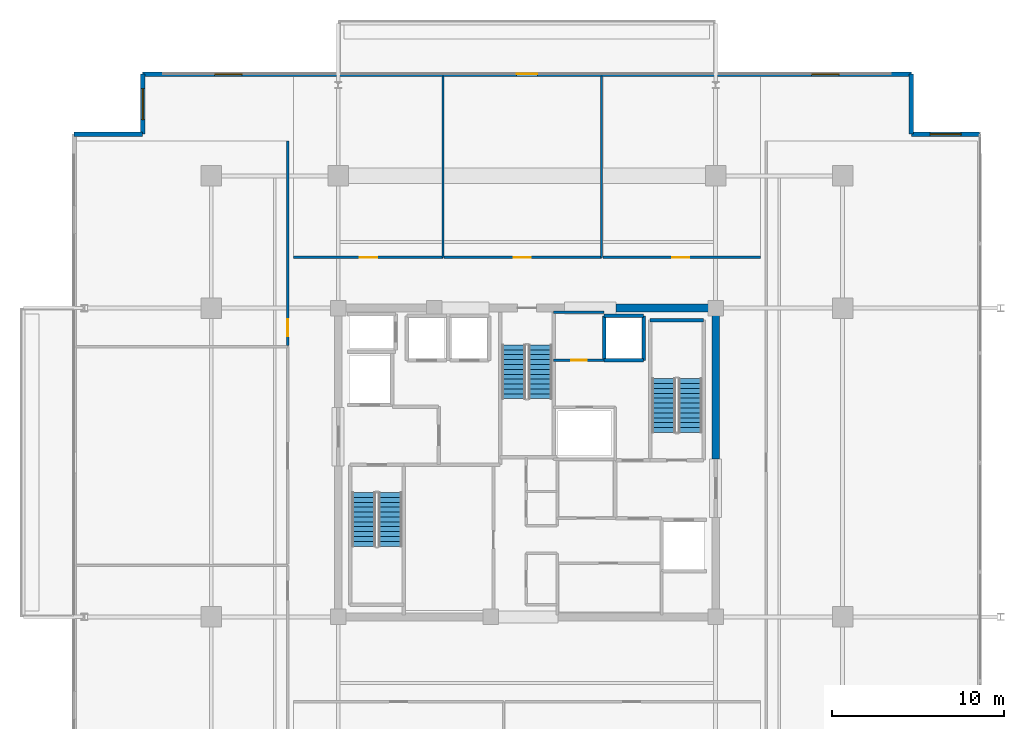
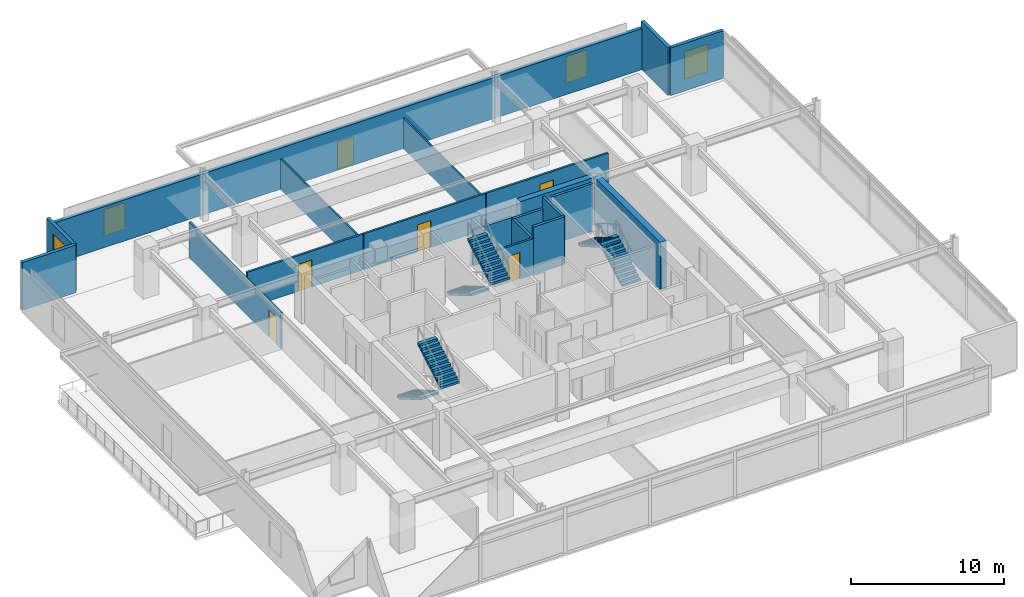
# One storey, part 15 of 18: 20 walls, 6 doors, 6 stair flights, 4 windows, 10 openings, 3 elements without a shape of their own.
"""IFC4 building model written with IfcOpenShell, lengths in metres."""

from ifc_helpers import new_model, si_unit, direction, frame, frame_2d, origin, place, context, subcontext, project, spatial, polyline, rectangle, outline, extrude, material, layer, layer_set, type_object, element, fill, aggregate, save


model = new_model("IFC4")

# Units and contexts
model_context = context("Model", 3, precision=1e-05, world=origin(), true_north=direction((0.0, 1.0)))
body_context = subcontext(model_context, "Body", "Model", "MODEL_VIEW")
ifc_project = project(units=[si_unit("LENGTHUNIT", "METRE"), si_unit("AREAUNIT", "SQUARE_METRE"), si_unit("VOLUMEUNIT", "CUBIC_METRE"), si_unit("PLANEANGLEUNIT", "RADIAN"), si_unit("MASSUNIT", "GRAM", prefix="KILO")], contexts=[model_context])

# Site, building, storey
site_placement = place(None, origin())
site = spatial("IfcSite", under=ifc_project, at=site_placement, CompositionType="ELEMENT")
building_placement = place(site_placement, origin())
building = spatial("IfcBuilding", under=site, at=building_placement, Name="Kovane Verandah Tower", CompositionType="ELEMENT")
storey_placement = place(building_placement, frame((0.0, 0.0, 251.199951171875)))
storey = spatial("IfcBuildingStorey", under=building, at=storey_placement, Name="L58", CompositionType="ELEMENT", Elevation=251.199951171875)

# Wall
ifc_material_1 = material(Name="Fire-Rated Gypsum Stud Partition", Category="gypsum")
ifc_layer_1 = layer(ifc_material_1, 0.14990234375)
ifc_layer_set_1 = layer_set([ifc_layer_1], Name="Fire-Rated Gypsum Stud Partition")
wall_type_1 = type_object("IfcWallType", Name="WL-COR-150", PredefinedType="PARTITIONING", material=ifc_layer_set_1)
wall_1_placement = place(storey_placement, frame((41.56005859375, 36.25, 0.0), z_axis=(0.0, 0.0, 1.0), x_axis=(1.0, 0.0, 0.0)))
element("IfcWall", 1, at=wall_1_placement, inside=storey, type_object=wall_type_1, Name="L58 Sky Telecom Riser North Wall", PredefinedType="PARTITIONING", context=body_context, shape_type="SweptSolid", body=[
    extrude(rectangle(XDim=2.93994140625, YDim=0.14990234375, at=frame_2d((1.469970703125, 0.0))), origin(), (0.0, 0.0, 1.0), 2.85009765625),
])

# Wall, opening, door
wall_2_placement = place(storey_placement, frame((41.56005859375, 33.449951171875, 0.0), z_axis=(0.0, 0.0, 1.0), x_axis=(1.0, 0.0, 0.0)))
wall_2 = element("IfcWall", 2, at=wall_2_placement, inside=storey, type_object=wall_type_1, Name="L58 Sky Telecom Riser Room Partition", PredefinedType="PARTITIONING", context=body_context, shape_type="SweptSolid", body=[
    extrude(rectangle(XDim=2.93994140625, YDim=0.14990234375, at=frame_2d((1.469970703125, 0.0))), origin(), (0.0, 0.0, 1.0), 2.85009765625),
])
opening_1_placement = place(wall_2_placement, frame((1.030029296875, 0.0, 0.0)))
opening_1 = element("IfcOpeningElement", 3, at=opening_1_placement, cuts=wall_2, Name="Opening DR-L58-015", PredefinedType="OPENING", context=body_context, shape_type="SweptSolid", body=[
    extrude(rectangle(XDim=0.8798828125, YDim=2.10009765625, at=frame_2d((0.43994140625, 1.050048828125))), frame((0.0, 0.074951171875, 0.0), z_axis=(0.0, -1.0, 0.0), x_axis=(1.0, 0.0, 0.0)), (0.0, 0.0, 1.0), 0.14990234375),
])
ifc_material_2 = material(Name="Fire-Rated Steel Riser Access Door", Category="steel")
door_type_1 = type_object("IfcDoorType", Name="DR-RISER-880", OperationType="SINGLE_SWING_LEFT", PredefinedType="DOOR", material=ifc_material_2)
door_1_placement = place(opening_1_placement, origin())
door_1 = element("IfcDoor", 4, at=door_1_placement, inside=storey, type_object=door_type_1, Name="L58 Sky Telecom Riser Room Door", OperationType="SINGLE_SWING_RIGHT", OverallHeight=2.10009765625, OverallWidth=0.8798828125, PredefinedType="DOOR", context=body_context, shape_type="SweptSolid", body=[
    extrude(rectangle(XDim=0.8798828125, YDim=2.10009765625, at=frame_2d((0.43994140625, 1.050048828125))), frame((0.0, 0.02490234375, 0.0), z_axis=(0.0, -1.0, 0.0), x_axis=(1.0, 0.0, 0.0)), (0.0, 0.0, 1.0), 0.050048828125),
])
fill(opening_1, door_1)

wall_3_placement = place(storey_placement, frame((26.39990234375, 39.449951171875, 0.0), z_axis=(0.0, 0.0, 1.0), x_axis=(1.0, 0.0, 0.0)))
wall_3 = element("IfcWall", 5, at=wall_3_placement, inside=storey, type_object=wall_type_1, Name="L58 Focus Studio N1 Corridor Partition", PredefinedType="PARTITIONING", context=body_context, shape_type="SweptSolid", body=[
    extrude(rectangle(XDim=8.7041015625, YDim=0.14990234375, at=frame_2d((4.35205078125, 0.0))), origin(), (0.0, 0.0, 1.0), 2.85009765625),
])
opening_2_placement = place(wall_3_placement, frame((3.866943359375, 0.0, 0.0)))
opening_2 = element("IfcOpeningElement", 6, at=opening_2_placement, cuts=wall_3, Name="Opening DR-L58-017", PredefinedType="OPENING", context=body_context, shape_type="SweptSolid", body=[
    extrude(rectangle(XDim=1.0, YDim=2.14990234375, at=frame_2d((0.5, 1.074951171875))), frame((0.0, 0.074951171875, 0.0), z_axis=(0.0, -1.0, 0.0), x_axis=(1.0, 0.0, 0.0)), (0.0, 0.0, 1.0), 0.14990234375),
])
ifc_material_3 = material(Name="FSC Spotted-Gum Timber Fire-Rated Office Door", Category="wood")
door_type_2 = type_object("IfcDoorType", Name="DR-OFF-1000", OperationType="SINGLE_SWING_LEFT", PredefinedType="DOOR", material=ifc_material_3)
door_2_placement = place(opening_2_placement, origin())
door_2 = element("IfcDoor", 7, at=door_2_placement, inside=storey, type_object=door_type_2, Name="L58 Focus Studio N1 Entrance Door", OperationType="SINGLE_SWING_LEFT", OverallHeight=2.14990234375, OverallWidth=1.0, PredefinedType="DOOR", context=body_context, shape_type="SweptSolid", body=[
    extrude(rectangle(XDim=1.0, YDim=2.14990234375, at=frame_2d((0.5, 1.074951171875))), frame((0.0, 0.02490234375, 0.0), z_axis=(0.0, -1.0, 0.0), x_axis=(1.0, 0.0, 0.0)), (0.0, 0.0, 1.0), 0.050048828125),
])
fill(opening_2, door_2)

wall_4_placement = place(storey_placement, frame((35.174072265625, 39.449951171875, 0.0), z_axis=(0.0, 0.0, 1.0), x_axis=(1.0, 0.0, 0.0)))
wall_4 = element("IfcWall", 8, at=wall_4_placement, inside=storey, type_object=wall_type_1, Name="L58 Breakout Pantry N2 Corridor Partition", PredefinedType="PARTITIONING", context=body_context, shape_type="SweptSolid", body=[
    extrude(rectangle(XDim=9.177978515625, YDim=0.14990234375, at=frame_2d((4.5888671875, 0.0))), origin(), (0.0, 0.0, 1.0), 2.85009765625),
])
opening_3_placement = place(wall_4_placement, frame((4.053955078125, 0.0, 0.0)))
opening_3 = element("IfcOpeningElement", 9, at=opening_3_placement, cuts=wall_4, Name="Opening DR-L58-018", PredefinedType="OPENING", context=body_context, shape_type="SweptSolid", body=[
    extrude(rectangle(XDim=1.0, YDim=2.14990234375, at=frame_2d((0.5, 1.074951171875))), frame((0.0, 0.074951171875, 0.0), z_axis=(0.0, -1.0, 0.0), x_axis=(1.0, 0.0, 0.0)), (0.0, 0.0, 1.0), 0.14990234375),
])
door_3_placement = place(opening_3_placement, origin())
door_3 = element("IfcDoor", 10, at=door_3_placement, inside=storey, type_object=door_type_2, Name="L58 Breakout Pantry N2 Entrance Door", OperationType="SINGLE_SWING_RIGHT", OverallHeight=2.14990234375, OverallWidth=1.0, PredefinedType="DOOR", context=body_context, shape_type="SweptSolid", body=[
    extrude(rectangle(XDim=1.0, YDim=2.14990234375, at=frame_2d((0.5, 1.074951171875))), frame((0.0, 0.02490234375, 0.0), z_axis=(0.0, -1.0, 0.0), x_axis=(1.0, 0.0, 0.0)), (0.0, 0.0, 1.0), 0.050048828125),
])
fill(opening_3, door_3)

wall_5_placement = place(storey_placement, frame((44.422119140625, 39.449951171875, 0.0), z_axis=(0.0, 0.0, 1.0), x_axis=(1.0, 0.0, 0.0)))
wall_5 = element("IfcWall", 11, at=wall_5_placement, inside=storey, type_object=wall_type_1, Name="L58 Collaboration Hub N3 Corridor Partition", PredefinedType="PARTITIONING", context=body_context, shape_type="SweptSolid", body=[
    extrude(rectangle(XDim=9.177978515625, YDim=0.14990234375, at=frame_2d((4.5888671875, 0.0))), origin(), (0.0, 0.0, 1.0), 2.85009765625),
])
opening_4_placement = place(wall_5_placement, frame((4.0390625, 0.0, 0.0)))
opening_4 = element("IfcOpeningElement", 12, at=opening_4_placement, cuts=wall_5, Name="Opening DR-L58-019", PredefinedType="OPENING", context=body_context, shape_type="SweptSolid", body=[
    extrude(rectangle(XDim=1.0, YDim=2.14990234375, at=frame_2d((0.5, 1.074951171875))), frame((0.0, 0.074951171875, 0.0), z_axis=(0.0, -1.0, 0.0), x_axis=(1.0, 0.0, 0.0)), (0.0, 0.0, 1.0), 0.14990234375),
])
door_4_placement = place(opening_4_placement, origin())
door_4 = element("IfcDoor", 13, at=door_4_placement, inside=storey, type_object=door_type_2, Name="L58 Collaboration Hub N3 Entrance Door", OperationType="SINGLE_SWING_LEFT", OverallHeight=2.14990234375, OverallWidth=1.0, PredefinedType="DOOR", context=body_context, shape_type="SweptSolid", body=[
    extrude(rectangle(XDim=1.0, YDim=2.14990234375, at=frame_2d((0.5, 1.074951171875))), frame((0.0, 0.02490234375, 0.0), z_axis=(0.0, -1.0, 0.0), x_axis=(1.0, 0.0, 0.0)), (0.0, 0.0, 1.0), 0.050048828125),
])
fill(opening_4, door_4)

wall_6_placement = place(storey_placement, frame((26.050048828125, 34.3154296875, 0.0), z_axis=(0.0, 0.0, 1.0), x_axis=(0.0, 1.0, 0.0)))
wall_6 = element("IfcWall", 14, at=wall_6_placement, inside=storey, type_object=wall_type_1, Name="L58 Meeting Room W3 Corridor Partition", PredefinedType="PARTITIONING", context=body_context, shape_type="SweptSolid", body=[
    extrude(rectangle(XDim=11.922119140625, YDim=0.14990234375, at=frame_2d((5.9609375, 0.0))), origin(), (0.0, 0.0, 1.0), 2.85009765625),
])
opening_5_placement = place(wall_6_placement, frame((0.542236328125, 0.0, 0.0)))
opening_5 = element("IfcOpeningElement", 15, at=opening_5_placement, cuts=wall_6, Name="Opening DR-L58-027", PredefinedType="OPENING", context=body_context, shape_type="SweptSolid", body=[
    extrude(rectangle(XDim=1.0, YDim=2.14990234375, at=frame_2d((0.5, 1.074951171875))), frame((0.0, 0.074951171875, 0.0), z_axis=(0.0, -1.0, 0.0), x_axis=(1.0, 0.0, 0.0)), (0.0, 0.0, 1.0), 0.14990234375),
])
door_5_placement = place(opening_5_placement, origin())
door_5 = element("IfcDoor", 16, at=door_5_placement, inside=storey, type_object=door_type_2, Name="L58 Meeting Room W3 Entrance Door", OperationType="SINGLE_SWING_RIGHT", OverallHeight=2.14990234375, OverallWidth=1.0, PredefinedType="DOOR", context=body_context, shape_type="SweptSolid", body=[
    extrude(rectangle(XDim=1.0, YDim=2.14990234375, at=frame_2d((0.5, 1.074951171875))), frame((0.0, 0.02490234375, 0.0), z_axis=(0.0, -1.0, 0.0), x_axis=(1.0, 0.0, 0.0)), (0.0, 0.0, 1.0), 0.050048828125),
])
fill(opening_5, door_5)

# Walls
ifc_material_4 = material(Name="Concrete C60/75", Category="concrete")
ifc_layer_2 = layer(ifc_material_4, 0.449951171875)
ifc_layer_set_2 = layer_set([ifc_layer_2], Name="Concrete C60/75")
wall_type_2 = type_object("IfcWallType", Name="WL-CORE-450", PredefinedType="SHEAR", material=ifc_layer_set_2)
wall_7_placement = place(storey_placement, frame((45.199951171875, 36.5, 0.0), z_axis=(0.0, 0.0, 1.0), x_axis=(1.0, 0.0, 0.0)))
element("IfcWall", 17, at=wall_7_placement, inside=storey, type_object=wall_type_2, Name="L58 Core Shear Wall CN-3", PredefinedType="SHEAR", context=body_context, shape_type="SweptSolid", body=[
    extrude(rectangle(XDim=5.800048828125, YDim=0.449951171875, at=frame_2d((2.89990234375, 0.0))), origin(), (0.0, 0.0, 1.0), 3.78515625),
])
wall_8_placement = place(storey_placement, frame((51.0, 27.699951171875, 0.0), z_axis=(0.0, 0.0, 1.0), x_axis=(0.0, 1.0, 0.0)))
element("IfcWall", 18, at=wall_8_placement, inside=storey, type_object=wall_type_2, Name="L58 Core Shear Wall CE-2", PredefinedType="SHEAR", context=body_context, shape_type="SweptSolid", body=[
    extrude(rectangle(XDim=8.800048828125, YDim=0.449951171875, at=frame_2d((4.39990234375, 0.0))), origin(), (0.0, 0.0, 1.0), 3.78515625),
])
ifc_material_5 = material(Name="Concrete C45/55 Lift Shaft Wall", Category="concrete")
ifc_layer_3 = layer(ifc_material_5, 0.199951171875)
ifc_layer_set_3 = layer_set([ifc_layer_3], Name="Concrete C45/55 Lift Shaft Wall")
wall_type_3 = type_object("IfcWallType", Name="WL-LIFT-200", PredefinedType="SOLIDWALL", material=ifc_layer_set_3)
wall_9_placement = place(storey_placement, frame((44.5, 33.449951171875, 0.0), z_axis=(0.0, 0.0, 1.0), x_axis=(1.0, 0.0, 0.0)))
element("IfcWall", 19, at=wall_9_placement, inside=storey, type_object=wall_type_3, Name="L58 Lift OL-01 S Shaft Wall", PredefinedType="SOLIDWALL", context=body_context, shape_type="SweptSolid", body=[
    extrude(rectangle(XDim=2.300048828125, YDim=0.199951171875, at=frame_2d((1.14990234375, 0.0))), origin(), (0.0, 0.0, 1.0), 3.78515625),
])
wall_10_placement = place(storey_placement, frame((46.800048828125, 36.050048828125, 0.0), z_axis=(0.0, 0.0, 1.0), x_axis=(-1.0, 0.0, 0.0)))
element("IfcWall", 20, at=wall_10_placement, inside=storey, type_object=wall_type_3, Name="L58 Lift OL-01 N Shaft Wall", PredefinedType="SOLIDWALL", context=body_context, shape_type="SweptSolid", body=[
    extrude(rectangle(XDim=2.300048828125, YDim=0.199951171875, at=frame_2d((1.14990234375, 0.0))), origin(), (0.0, 0.0, 1.0), 2.864990234375),
])
wall_11_placement = place(storey_placement, frame((44.5, 36.050048828125, 0.0), z_axis=(0.0, 0.0, 1.0), x_axis=(0.0, -1.0, 0.0)))
element("IfcWall", 21, at=wall_11_placement, inside=storey, type_object=wall_type_3, Name="L58 Lift OL-01 W Shaft Wall", PredefinedType="SOLIDWALL", context=body_context, shape_type="SweptSolid", body=[
    extrude(rectangle(XDim=2.60009765625, YDim=0.199951171875, at=frame_2d((1.300048828125, 0.0))), origin(), (0.0, 0.0, 1.0), 2.864990234375),
])
wall_12_placement = place(storey_placement, frame((46.800048828125, 33.449951171875, 0.0), z_axis=(0.0, 0.0, 1.0), x_axis=(0.0, 1.0, 0.0)))
element("IfcWall", 22, at=wall_12_placement, inside=storey, type_object=wall_type_3, Name="L58 Lift OL-01 E Shaft Wall", PredefinedType="SOLIDWALL", context=body_context, shape_type="SweptSolid", body=[
    extrude(rectangle(XDim=2.60009765625, YDim=0.199951171875, at=frame_2d((1.300048828125, 0.0))), origin(), (0.0, 0.0, 1.0), 3.78515625),
])
ifc_material_6 = material(Name="Acoustic Fire-Rated Gypsum Partition", Category="gypsum")
ifc_layer_4 = layer(ifc_material_6, 0.1201171875)
ifc_layer_set_4 = layer_set([ifc_layer_4], Name="Acoustic Fire-Rated Gypsum Partition")
wall_type_4 = type_object("IfcWallType", Name="WL-PART-120", PredefinedType="PARTITIONING", material=ifc_layer_set_4)
for number, where, z_axis, x_axis, name in (
    (23, (35.10400390625, 39.449951171875, 0.0), (0.0, 0.0, 1.0), (0.0, 1.0, 0.0), "L58 Focus Studio N1 Dividing Partition"),
    (24, (44.35205078125, 39.449951171875, 0.0), (0.0, 0.0, 1.0), (0.0, 1.0, 0.0), "L58 Breakout Pantry N2 Dividing Partition"),
):
    element("IfcWall", number, at=place(storey_placement, frame(where, z_axis=z_axis, x_axis=x_axis)), inside=storey, type_object=wall_type_4, Name=name, PredefinedType="PARTITIONING", context=body_context, shape_type="SweptSolid", body=[
        extrude(rectangle(XDim=10.587646484375, YDim=0.1201171875, at=frame_2d((5.2939453125, 0.0))), origin(), (0.0, 0.0, 1.0), 2.4150390625),
    ])
ifc_material_7 = material(Name="Concrete C45/55", Category="concrete")
ifc_layer_5 = layer(ifc_material_7, 0.199951171875)
ifc_layer_set_5 = layer_set([ifc_layer_5], Name="Concrete C45/55")
wall_type_5 = type_object("IfcWallType", Name="WL-SHAFT-200", PredefinedType="SOLIDWALL", material=ifc_layer_set_5)
wall_13_placement = place(storey_placement, frame((47.179931640625, 35.800048828125, 0.0), z_axis=(0.0, 0.0, 1.0), x_axis=(1.0, 0.0, 0.0)))
element("IfcWall", 25, at=wall_13_placement, inside=storey, type_object=wall_type_5, Name="W-L58-ST02-N", PredefinedType="SOLIDWALL", context=body_context, shape_type="SweptSolid", body=[
    extrude(rectangle(XDim=3.1201171875, YDim=0.199951171875, at=frame_2d((1.56005859375, 0.0))), origin(), (0.0, 0.0, 1.0), 3.78515625),
])

# Wall, openings, door, windows
ifc_material_8 = material(Name="Concrete C45/55 Insulated Spandrel Wall", Category="concrete")
ifc_layer_6 = layer(ifc_material_8, 0.260009765625)
ifc_layer_set_6 = layer_set([ifc_layer_6], Name="Concrete C45/55 Insulated Spandrel Wall")
wall_type_6 = type_object("IfcWallType", Name="WL-SPANDREL-260", PredefinedType="PARAPET", material=ifc_layer_set_6)
wall_14_placement = place(storey_placement, frame((62.396240234375, 50.1376953125, 0.0), z_axis=(0.0, 0.0, 1.0), x_axis=(-1.0, 0.0, 0.0)))
wall_14 = element("IfcWall", 26, at=wall_14_placement, inside=storey, type_object=wall_type_6, Name="L58 N Verandah Access Facade Wall", PredefinedType="PARAPET", context=body_context, shape_type="SweptSolid", body=[
    extrude(rectangle(XDim=44.79248046875, YDim=0.260009765625, at=frame_2d((22.396240234375, 0.0))), origin(), (0.0, 0.0, 1.0), 3.27294921875),
])
opening_6_placement = place(wall_14_placement, frame((4.199951171875, 0.0, 0.85009765625)))
opening_6 = element("IfcOpeningElement", 27, at=opening_6_placement, cuts=wall_14, Name="Opening W-02", PredefinedType="OPENING", context=body_context, shape_type="SweptSolid", body=[
    extrude(rectangle(XDim=1.60009765625, YDim=2.10009765625, at=frame_2d((0.800048828125, 1.050048828125))), frame((0.0, 0.1298828125, 0.0), z_axis=(0.0, -1.0, 0.0), x_axis=(1.0, 0.0, 0.0)), (0.0, 0.0, 1.0), 0.260009765625),
])
opening_7_placement = place(wall_14_placement, frame((21.79638671875, 0.0, 0.0)))
opening_7 = element("IfcOpeningElement", 28, at=opening_7_placement, cuts=wall_14, Name="Opening DR-L58-001", PredefinedType="OPENING", context=body_context, shape_type="SweptSolid", body=[
    extrude(rectangle(XDim=1.199951171875, YDim=2.199951171875, at=frame_2d((0.60009765625, 1.10009765625))), frame((0.0, 0.1298828125, 0.0), z_axis=(0.0, -1.0, 0.0), x_axis=(1.0, 0.0, 0.0)), (0.0, 0.0, 1.0), 0.260009765625),
])
opening_8_placement = place(wall_14_placement, frame((38.99267578125, 0.0, 0.85009765625)))
opening_8 = element("IfcOpeningElement", 29, at=opening_8_placement, cuts=wall_14, Name="Opening W-02", PredefinedType="OPENING", context=body_context, shape_type="SweptSolid", body=[
    extrude(rectangle(XDim=1.60009765625, YDim=2.10009765625, at=frame_2d((0.800048828125, 1.050048828125))), frame((0.0, 0.1298828125, 0.0), z_axis=(0.0, -1.0, 0.0), x_axis=(1.0, 0.0, 0.0)), (0.0, 0.0, 1.0), 0.260009765625),
])
ifc_material_9 = material(Name="Cyclone-Rated Glazed Balcony Leaf Door", Category="aluminium")
door_type_3 = type_object("IfcDoorType", Name="DR-BAL-1200x2200", OperationType="SINGLE_SWING_LEFT", PredefinedType="DOOR", material=ifc_material_9)
door_6_placement = place(opening_7_placement, origin())
door_6 = element("IfcDoor", 30, at=door_6_placement, inside=storey, type_object=door_type_3, Name="L58 N Planted Balcony Access Door", OperationType="SINGLE_SWING_LEFT", OverallHeight=2.199951171875, OverallWidth=1.199951171875, PredefinedType="DOOR", context=body_context, shape_type="SweptSolid", body=[
    extrude(rectangle(XDim=1.199951171875, YDim=2.199951171875, at=frame_2d((0.60009765625, 1.10009765625))), frame((0.0, 0.02490234375, 0.0), z_axis=(0.0, -1.0, 0.0), x_axis=(1.0, 0.0, 0.0)), (0.0, 0.0, 1.0), 0.050048828125),
])
fill(opening_7, door_6)
ifc_material_10 = material(Name="Clear Low-E Laminated Double Glazing in Anodised Frame", Category="glass")
window_type_1 = type_object("IfcWindowType", Name="WN-OPER-1600x2100", PartitioningType="SINGLE_PANEL", PredefinedType="WINDOW", material=ifc_material_10)
window_1_placement = place(opening_6_placement, origin())
window_1 = element("IfcWindow", 31, at=window_1_placement, inside=storey, type_object=window_type_1, Name="L58 N Verandah View Window 1", OverallHeight=2.10009765625, OverallWidth=1.60009765625, PartitioningType="SINGLE_PANEL", PredefinedType="WINDOW", context=body_context, shape_type="SweptSolid", body=[
    extrude(rectangle(XDim=1.60009765625, YDim=2.10009765625, at=frame_2d((0.800048828125, 1.050048828125))), frame((0.0, 0.030029296875, 0.0), z_axis=(0.0, -1.0, 0.0), x_axis=(1.0, 0.0, 0.0)), (0.0, 0.0, 1.0), 0.06005859375),
])
fill(opening_6, window_1)
window_2_placement = place(opening_8_placement, origin())
window_2 = element("IfcWindow", 32, at=window_2_placement, inside=storey, type_object=window_type_1, Name="L58 N Verandah View Window 2", OverallHeight=2.10009765625, OverallWidth=1.60009765625, PartitioningType="SINGLE_PANEL", PredefinedType="WINDOW", context=body_context, shape_type="SweptSolid", body=[
    extrude(rectangle(XDim=1.60009765625, YDim=2.10009765625, at=frame_2d((0.800048828125, 1.050048828125))), frame((0.0, 0.030029296875, 0.0), z_axis=(0.0, -1.0, 0.0), x_axis=(1.0, 0.0, 0.0)), (0.0, 0.0, 1.0), 0.06005859375),
])
fill(opening_8, window_2)

# Wall, opening, window
wall_15_placement = place(storey_placement, frame((66.396240234375, 46.6376953125, 0.0), z_axis=(0.0, 0.0, 1.0), x_axis=(-1.0, 0.0, 0.0)))
wall_15 = element("IfcWall", 33, at=wall_15_placement, inside=storey, type_object=wall_type_6, Name="L58 NE Notch Cheek Wall 1", PredefinedType="PARAPET", context=body_context, shape_type="SweptSolid", body=[
    extrude(rectangle(XDim=4.0, YDim=0.260009765625, at=frame_2d((2.0, 0.0))), origin(), (0.0, 0.0, 1.0), 3.78515625),
])
opening_9_placement = place(wall_15_placement, frame((1.10009765625, 0.0, 0.85009765625)))
opening_9 = element("IfcOpeningElement", 34, at=opening_9_placement, cuts=wall_15, Name="Opening W-03", PredefinedType="OPENING", context=body_context, shape_type="SweptSolid", body=[
    extrude(rectangle(XDim=1.800048828125, YDim=2.199951171875, at=frame_2d((0.89990234375, 1.10009765625))), frame((0.0, 0.1298828125, 0.0), z_axis=(0.0, -1.0, 0.0), x_axis=(1.0, 0.0, 0.0)), (0.0, 0.0, 1.0), 0.260009765625),
])
window_type_2 = type_object("IfcWindowType", Name="WN-NOTCH-1800x2200", PartitioningType="SINGLE_PANEL", PredefinedType="WINDOW", material=ifc_material_10)
window_3_placement = place(opening_9_placement, origin())
window_3 = element("IfcWindow", 35, at=window_3_placement, inside=storey, type_object=window_type_2, Name="L58 NE Re-Entrant Corner Operable Window", OverallHeight=2.199951171875, OverallWidth=1.800048828125, PartitioningType="SINGLE_PANEL", PredefinedType="WINDOW", context=body_context, shape_type="SweptSolid", body=[
    extrude(rectangle(XDim=1.800048828125, YDim=2.199951171875, at=frame_2d((0.89990234375, 1.10009765625))), frame((0.0, 0.030029296875, 0.0), z_axis=(0.0, -1.0, 0.0), x_axis=(1.0, 0.0, 0.0)), (0.0, 0.0, 1.0), 0.06005859375),
])
fill(opening_9, window_3)

# Wall
wall_16_placement = place(storey_placement, frame((62.396240234375, 46.6376953125, 0.0), z_axis=(0.0, 0.0, 1.0), x_axis=(0.0, 1.0, 0.0)))
element("IfcWall", 36, at=wall_16_placement, inside=storey, type_object=wall_type_6, Name="L58 NE Notch Cheek Wall 2", PredefinedType="PARAPET", context=body_context, shape_type="SweptSolid", body=[
    extrude(rectangle(XDim=3.5, YDim=0.260009765625, at=frame_2d((1.75, 0.0))), origin(), (0.0, 0.0, 1.0), 3.78515625),
])

# Wall, opening, window
wall_17_placement = place(storey_placement, frame((17.603759765625, 50.1376953125, 0.0), z_axis=(0.0, 0.0, 1.0), x_axis=(0.0, -1.0, 0.0)))
wall_17 = element("IfcWall", 37, at=wall_17_placement, inside=storey, type_object=wall_type_6, Name="L58 NW Notch Cheek Wall 1", PredefinedType="PARAPET", context=body_context, shape_type="SweptSolid", body=[
    extrude(rectangle(XDim=3.5, YDim=0.260009765625, at=frame_2d((1.75, 0.0))), origin(), (0.0, 0.0, 1.0), 3.78515625),
])
opening_10_placement = place(wall_17_placement, frame((0.85009765625, 0.0, 0.85009765625)))
opening_10 = element("IfcOpeningElement", 38, at=opening_10_placement, cuts=wall_17, Name="Opening W-03", PredefinedType="OPENING", context=body_context, shape_type="SweptSolid", body=[
    extrude(rectangle(XDim=1.800048828125, YDim=2.199951171875, at=frame_2d((0.89990234375, 1.10009765625))), frame((0.0, 0.1298828125, 0.0), z_axis=(0.0, -1.0, 0.0), x_axis=(1.0, 0.0, 0.0)), (0.0, 0.0, 1.0), 0.260009765625),
])
window_4_placement = place(opening_10_placement, origin())
window_4 = element("IfcWindow", 39, at=window_4_placement, inside=storey, type_object=window_type_2, Name="L58 NW Re-Entrant Corner Operable Window", OverallHeight=2.199951171875, OverallWidth=1.800048828125, PartitioningType="SINGLE_PANEL", PredefinedType="WINDOW", context=body_context, shape_type="SweptSolid", body=[
    extrude(rectangle(XDim=1.800048828125, YDim=2.199951171875, at=frame_2d((0.89990234375, 1.10009765625))), frame((0.0, 0.030029296875, 0.0), z_axis=(0.0, -1.0, 0.0), x_axis=(1.0, 0.0, 0.0)), (0.0, 0.0, 1.0), 0.06005859375),
])
fill(opening_10, window_4)

# Wall
wall_18_placement = place(storey_placement, frame((17.603759765625, 46.6376953125, 0.0), z_axis=(0.0, 0.0, 1.0), x_axis=(-1.0, 0.0, 0.0)))
element("IfcWall", 40, at=wall_18_placement, inside=storey, type_object=wall_type_6, Name="L58 NW Notch Cheek Wall 2", PredefinedType="PARAPET", context=body_context, shape_type="SweptSolid", body=[
    extrude(rectangle(XDim=4.0, YDim=0.260009765625, at=frame_2d((2.0, 0.0))), origin(), (0.0, 0.0, 1.0), 3.78515625),
])

# Stair, stair flights
stair_type = type_object("IfcStairType", Name="ST-CORE-1380", PredefinedType="HALF_TURN_STAIR", material=ifc_material_7)
stair_1_placement = place(storey_placement, origin())
stair_1 = element("IfcStair", 41, at=stair_1_placement, inside=storey, type_object=stair_type, Name="L58 Exit Stair ST-01", PredefinedType="HALF_TURN_STAIR")
stair_flight_type = type_object("IfcStairFlightType", Name="STF-CORE-1380", PredefinedType="STRAIGHT", material=ifc_material_7)
stair_flight_1_placement = place(storey_placement, frame((30.489990234375, 25.75, 0.0), z_axis=(0.0, 0.0, 1.0), x_axis=(0.0, -1.0, 0.0)))
stair_flight_1 = element("IfcStairFlight", 42, at=stair_flight_1_placement, type_object=stair_flight_type, Name="ST-01 flight 1", NumberOfRisers=12, NumberOfTreads=11, PredefinedType="STRAIGHT", RiserHeight=0.166666667, TreadLength=0.285, context=body_context, shape_type="SweptSolid", body=[
    extrude(outline(polyline([(0.0, 0.0), (0.0, 0.166748046875), (0.284912109375, 0.166748046875), (0.284912109375, 0.333251953125), (0.570068359375, 0.333251953125), (0.570068359375, 0.5), (0.85498046875, 0.5), (0.85498046875, 0.666748046875), (1.139892578125, 0.666748046875), (1.139892578125, 0.833251953125), (1.425048828125, 0.833251953125), (1.425048828125, 1.0), (1.7099609375, 1.0), (1.7099609375, 1.166748046875), (1.9951171875, 1.166748046875), (1.9951171875, 1.333251953125), (2.280029296875, 1.333251953125), (2.280029296875, 1.5), (2.56494140625, 1.5), (2.56494140625, 1.666748046875), (2.85009765625, 1.666748046875), (2.85009765625, 1.833251953125), (3.135009765625, 1.833251953125), (3.135009765625, 2.0), (3.135009765625, 1.65966796875), (0.296875, 0.0), (0.0, 0.0)])), frame((0.0, 0.68994140625, 0.0), z_axis=(0.0, -1.0, 0.0), x_axis=(1.0, 0.0, 0.0)), (0.0, 0.0, 1.0), 1.3798828125),
])
stair_flight_2_placement = place(storey_placement, frame((32.030029296875, 22.614990234375, 2.0), z_axis=(0.0, 0.0, 1.0), x_axis=(0.0, 1.0, 0.0)))
stair_flight_2 = element("IfcStairFlight", 43, at=stair_flight_2_placement, type_object=stair_flight_type, Name="ST-01 flight 2", NumberOfRisers=12, NumberOfTreads=11, PredefinedType="STRAIGHT", RiserHeight=0.166666667, TreadLength=0.285, context=body_context, shape_type="SweptSolid", body=[
    extrude(outline(polyline([(0.0, 0.0), (0.0, 0.166748046875), (0.284912109375, 0.166748046875), (0.284912109375, 0.333251953125), (0.570068359375, 0.333251953125), (0.570068359375, 0.5), (0.85498046875, 0.5), (0.85498046875, 0.666748046875), (1.139892578125, 0.666748046875), (1.139892578125, 0.833251953125), (1.425048828125, 0.833251953125), (1.425048828125, 1.0), (1.7099609375, 1.0), (1.7099609375, 1.166748046875), (1.9951171875, 1.166748046875), (1.9951171875, 1.333251953125), (2.280029296875, 1.333251953125), (2.280029296875, 1.5), (2.56494140625, 1.5), (2.56494140625, 1.666748046875), (2.85009765625, 1.666748046875), (2.85009765625, 1.833251953125), (3.135009765625, 1.833251953125), (3.135009765625, 2.0), (3.135009765625, 1.65966796875), (0.296875, 0.0), (0.0, 0.0)])), frame((0.0, 0.68994140625, 0.0), z_axis=(0.0, -1.0, 0.0), x_axis=(1.0, 0.0, 0.0)), (0.0, 0.0, 1.0), 1.3798828125),
])
aggregate(stair_1, [stair_flight_1, stair_flight_2])

stair_2_placement = place(storey_placement, origin())
stair_2 = element("IfcStair", 44, at=stair_2_placement, inside=storey, type_object=stair_type, Name="L58 Exit Stair ST-02", PredefinedType="HALF_TURN_STAIR")
stair_flight_3_placement = place(storey_placement, frame((49.510009765625, 29.25, 0.0), z_axis=(0.0, 0.0, 1.0), x_axis=(0.0, 1.0, 0.0)))
stair_flight_3 = element("IfcStairFlight", 45, at=stair_flight_3_placement, type_object=stair_flight_type, Name="ST-02 flight 1", NumberOfRisers=12, NumberOfTreads=11, PredefinedType="STRAIGHT", RiserHeight=0.166666667, TreadLength=0.285, context=body_context, shape_type="SweptSolid", body=[
    extrude(outline(polyline([(0.0, 0.0), (0.0, 0.166748046875), (0.284912109375, 0.166748046875), (0.284912109375, 0.333251953125), (0.570068359375, 0.333251953125), (0.570068359375, 0.5), (0.85498046875, 0.5), (0.85498046875, 0.666748046875), (1.139892578125, 0.666748046875), (1.139892578125, 0.833251953125), (1.425048828125, 0.833251953125), (1.425048828125, 1.0), (1.7099609375, 1.0), (1.7099609375, 1.166748046875), (1.9951171875, 1.166748046875), (1.9951171875, 1.333251953125), (2.280029296875, 1.333251953125), (2.280029296875, 1.5), (2.56494140625, 1.5), (2.56494140625, 1.666748046875), (2.85009765625, 1.666748046875), (2.85009765625, 1.833251953125), (3.135009765625, 1.833251953125), (3.135009765625, 2.0), (3.135009765625, 1.65966796875), (0.296875, 0.0), (0.0, 0.0)])), frame((0.0, 0.68994140625, 0.0), z_axis=(0.0, -1.0, 0.0), x_axis=(1.0, 0.0, 0.0)), (0.0, 0.0, 1.0), 1.3798828125),
])
stair_flight_4_placement = place(storey_placement, frame((47.969970703125, 32.385009765625, 2.0), z_axis=(0.0, 0.0, 1.0), x_axis=(0.0, -1.0, 0.0)))
stair_flight_4 = element("IfcStairFlight", 46, at=stair_flight_4_placement, type_object=stair_flight_type, Name="ST-02 flight 2", NumberOfRisers=12, NumberOfTreads=11, PredefinedType="STRAIGHT", RiserHeight=0.166666667, TreadLength=0.285, context=body_context, shape_type="SweptSolid", body=[
    extrude(outline(polyline([(0.0, 0.0), (0.0, 0.166748046875), (0.284912109375, 0.166748046875), (0.284912109375, 0.333251953125), (0.570068359375, 0.333251953125), (0.570068359375, 0.5), (0.85498046875, 0.5), (0.85498046875, 0.666748046875), (1.139892578125, 0.666748046875), (1.139892578125, 0.833251953125), (1.425048828125, 0.833251953125), (1.425048828125, 1.0), (1.7099609375, 1.0), (1.7099609375, 1.166748046875), (1.9951171875, 1.166748046875), (1.9951171875, 1.333251953125), (2.280029296875, 1.333251953125), (2.280029296875, 1.5), (2.56494140625, 1.5), (2.56494140625, 1.666748046875), (2.85009765625, 1.666748046875), (2.85009765625, 1.833251953125), (3.135009765625, 1.833251953125), (3.135009765625, 2.0), (3.135009765625, 1.65966796875), (0.296875, 0.0), (0.0, 0.0)])), frame((0.0, 0.68994140625, 0.0), z_axis=(0.0, -1.0, 0.0), x_axis=(1.0, 0.0, 0.0)), (0.0, 0.0, 1.0), 1.3798828125),
])
aggregate(stair_2, [stair_flight_3, stair_flight_4])

stair_3_placement = place(storey_placement, origin())
stair_3 = element("IfcStair", 47, at=stair_3_placement, inside=storey, type_object=stair_type, Name="L58 Exit Stair ST-03", PredefinedType="HALF_TURN_STAIR")
stair_flight_5_placement = place(storey_placement, frame((39.22998046875, 34.35009765625, 0.0), z_axis=(0.0, 0.0, 1.0), x_axis=(0.0, -1.0, 0.0)))
stair_flight_5 = element("IfcStairFlight", 48, at=stair_flight_5_placement, type_object=stair_flight_type, Name="ST-03 flight 1", NumberOfRisers=12, NumberOfTreads=11, PredefinedType="STRAIGHT", RiserHeight=0.166666667, TreadLength=0.285, context=body_context, shape_type="SweptSolid", body=[
    extrude(outline(polyline([(0.0, 0.0), (0.0, 0.166748046875), (0.284912109375, 0.166748046875), (0.284912109375, 0.333251953125), (0.570068359375, 0.333251953125), (0.570068359375, 0.5), (0.85498046875, 0.5), (0.85498046875, 0.666748046875), (1.139892578125, 0.666748046875), (1.139892578125, 0.833251953125), (1.425048828125, 0.833251953125), (1.425048828125, 1.0), (1.7099609375, 1.0), (1.7099609375, 1.166748046875), (1.9951171875, 1.166748046875), (1.9951171875, 1.333251953125), (2.280029296875, 1.333251953125), (2.280029296875, 1.5), (2.56494140625, 1.5), (2.56494140625, 1.666748046875), (2.85009765625, 1.666748046875), (2.85009765625, 1.833251953125), (3.135009765625, 1.833251953125), (3.135009765625, 2.0), (3.135009765625, 1.65966796875), (0.296875, 0.0), (0.0, 0.0)])), frame((0.0, 0.68994140625, 0.0), z_axis=(0.0, -1.0, 0.0), x_axis=(1.0, 0.0, 0.0)), (0.0, 0.0, 1.0), 1.3798828125),
])
stair_flight_6_placement = place(storey_placement, frame((40.77001953125, 31.215087890625, 2.0), z_axis=(0.0, 0.0, 1.0), x_axis=(0.0, 1.0, 0.0)))
stair_flight_6 = element("IfcStairFlight", 49, at=stair_flight_6_placement, type_object=stair_flight_type, Name="ST-03 flight 2", NumberOfRisers=12, NumberOfTreads=11, PredefinedType="STRAIGHT", RiserHeight=0.166666667, TreadLength=0.285, context=body_context, shape_type="SweptSolid", body=[
    extrude(outline(polyline([(0.0, 0.0), (0.0, 0.166748046875), (0.284912109375, 0.166748046875), (0.284912109375, 0.333251953125), (0.570068359375, 0.333251953125), (0.570068359375, 0.5), (0.85498046875, 0.5), (0.85498046875, 0.666748046875), (1.139892578125, 0.666748046875), (1.139892578125, 0.833251953125), (1.425048828125, 0.833251953125), (1.425048828125, 1.0), (1.7099609375, 1.0), (1.7099609375, 1.166748046875), (1.9951171875, 1.166748046875), (1.9951171875, 1.333251953125), (2.280029296875, 1.333251953125), (2.280029296875, 1.5), (2.56494140625, 1.5), (2.56494140625, 1.666748046875), (2.85009765625, 1.666748046875), (2.85009765625, 1.833251953125), (3.135009765625, 1.833251953125), (3.135009765625, 2.0), (3.135009765625, 1.65966796875), (0.296875, 0.0), (0.0, 0.0)])), frame((0.0, 0.68994140625, 0.0), z_axis=(0.0, -1.0, 0.0), x_axis=(1.0, 0.0, 0.0)), (0.0, 0.0, 1.0), 1.3798828125),
])
aggregate(stair_3, [stair_flight_5, stair_flight_6])

save(model, "model.ifc")
